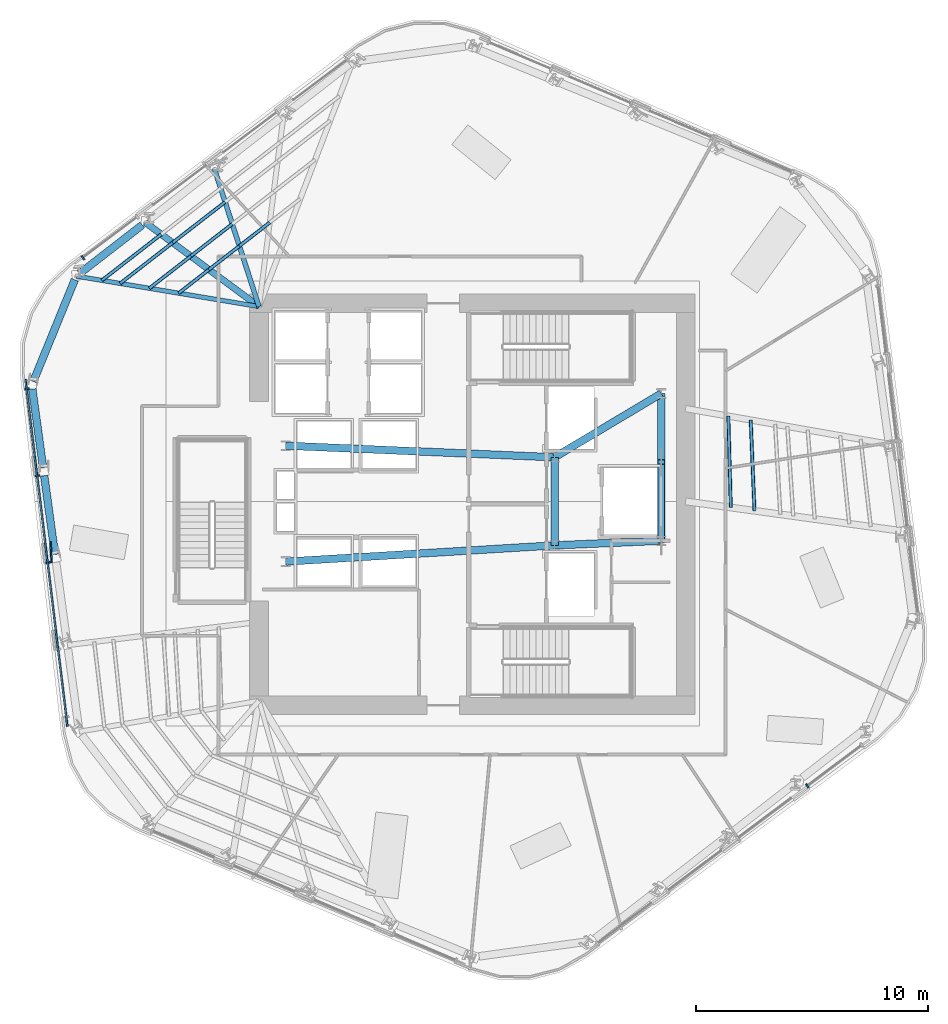
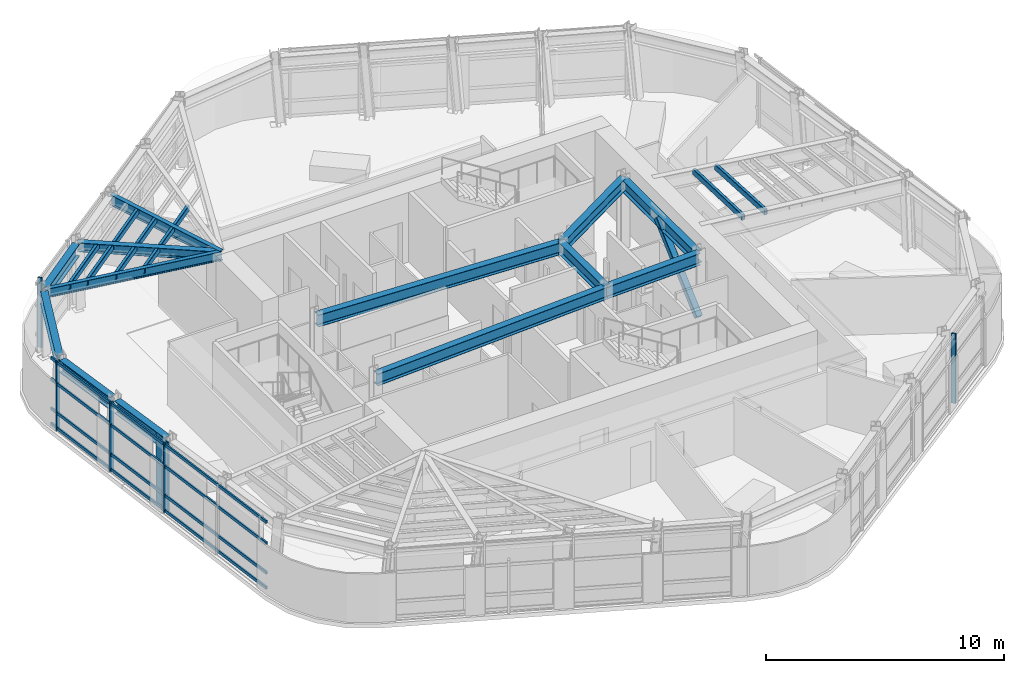
# One storey, part 4 of 14: 21 members, 13 beams, 3 elements without a shape of their own.
"""IFC4 building model written with IfcOpenShell, lengths in metres."""

from ifc_helpers import new_model, si_unit, direction, frame, origin, origin_2d, place, context, subcontext, project, spatial, rectangle, hollow_rectangle, i_section, extrude, material, layer, layer_set, material_profile, profile_set, type_object, element, aggregate, save


model = new_model("IFC4")

# Units and contexts
model_context = context("Model", 3, precision=1e-05, world=origin(), true_north=direction((0.0, 1.0)))
body_context = subcontext(model_context, "Body", "Model", "MODEL_VIEW")
ifc_project = project(units=[si_unit("LENGTHUNIT", "METRE"), si_unit("AREAUNIT", "SQUARE_METRE"), si_unit("VOLUMEUNIT", "CUBIC_METRE"), si_unit("PLANEANGLEUNIT", "RADIAN"), si_unit("MASSUNIT", "GRAM", prefix="KILO")], contexts=[model_context])

# Site, building, storey
site_placement = place(None, origin())
site = spatial("IfcSite", under=ifc_project, at=site_placement, CompositionType="ELEMENT")
building_placement = place(site_placement, origin())
building = spatial("IfcBuilding", under=site, at=building_placement, Name="Valkerne Bourse Tower", CompositionType="ELEMENT")
storey_placement = place(building_placement, frame((0.0, 0.0, 181.800048828125)))
storey = spatial("IfcBuildingStorey", under=building, at=storey_placement, Name="L46", CompositionType="ELEMENT", Elevation=181.800048828125)

# Beams
ifc_material_1 = material(Name="Steel ASTM A992", Category="steel")
ifc_material_profile_1 = material_profile(ifc_material_1, i_section(OverallWidth=0.1904296875, OverallDepth=0.457275390625, WebThickness=0.009033203125, FlangeThickness=0.014404296875, FilletRadius=0.01513671875, at=origin_2d()), Name="W18X50")
ifc_profile_set_1 = profile_set([ifc_material_profile_1], Name="Steel ASTM A992")
beam_type_1 = type_object("IfcBeamType", Name="BM-W18X50", PredefinedType="JOIST", material=ifc_profile_set_1)
beam_1_placement = place(storey_placement, frame((29.720458984375, 36.71337890625, 3.351318359375), z_axis=(0.986389793516, -0.164423767285, 0.0), x_axis=(0.164423767285, 0.986389793516, 0.0)))
element("IfcBeam", 1, at=beam_1_placement, inside=storey, type_object=beam_type_1, Name="L46 Radial Composite Floor Beam 09", PredefinedType="JOIST", context=body_context, shape_type="SweptSolid", body=[
    extrude(i_section(OverallWidth=0.1904296875, OverallDepth=0.457275390625, WebThickness=0.009033203125, FlangeThickness=0.014404296875, FilletRadius=0.01513671875, at=origin_2d()), origin(), (0.0, 0.0, 1.0), 7.98828125),
])
ifc_material_profile_2 = material_profile(ifc_material_1, i_section(OverallWidth=0.279296875, OverallDepth=0.46240234375, WebThickness=0.0107421875, FlangeThickness=0.017333984375, FilletRadius=0.017822265625, at=origin_2d()), Name="W18X76")
ifc_profile_set_2 = profile_set([ifc_material_profile_2], Name="Steel ASTM A992")
beam_type_2 = type_object("IfcBeamType", Name="BM-W18X76", PredefinedType="BEAM", material=ifc_profile_set_2)
beam_2_placement = place(storey_placement, frame((32.7001953125, 39.024658203125, 3.3486328125), z_axis=(0.803933825933, -0.594718760021, 0.0), x_axis=(0.594718760021, 0.803933825933, 0.0)))
element("IfcBeam", 2, at=beam_2_placement, inside=storey, type_object=beam_type_2, Name="L46 Radial Composite Floor Beam 08", PredefinedType="BEAM", context=body_context, shape_type="SweptSolid", body=[
    extrude(i_section(OverallWidth=0.279296875, OverallDepth=0.46240234375, WebThickness=0.0107421875, FlangeThickness=0.017333984375, FilletRadius=0.017822265625, at=origin_2d()), origin(), (0.0, 0.0, 1.0), 6.094970703125),
])
ifc_material_profile_3 = material_profile(ifc_material_1, i_section(OverallWidth=0.209228515625, OverallDepth=0.533447265625, WebThickness=0.01025390625, FlangeThickness=0.015625, FilletRadius=0.017822265625, at=origin_2d()), Name="W21X62")
ifc_profile_set_3 = profile_set([ifc_material_profile_3], Name="Steel ASTM A992")
beam_type_3 = type_object("IfcBeamType", Name="BM-W21X62", PredefinedType="JOIST", material=ifc_profile_set_3)
beam_3_placement = place(storey_placement, frame((35.679931640625, 41.3359375, 3.313232421875), z_axis=(0.3077744419, -0.95145934906, 0.0), x_axis=(0.95145934906, 0.3077744419, 0.0)))
element("IfcBeam", 3, at=beam_3_placement, inside=storey, type_object=beam_type_3, Name="L46 Radial Composite Floor Beam 07", PredefinedType="JOIST", context=body_context, shape_type="SweptSolid", body=[
    extrude(i_section(OverallWidth=0.209228515625, OverallDepth=0.533447265625, WebThickness=0.01025390625, FlangeThickness=0.015625, FilletRadius=0.017822265625, at=origin_2d()), origin(), (0.0, 0.0, 1.0), 6.23876953125),
])
ifc_material_profile_4 = material_profile(ifc_material_1, i_section(OverallWidth=0.3251953125, OverallDepth=0.612060546875, WebThickness=0.0126953125, FlangeThickness=0.01904296875, FilletRadius=0.020263671875, at=origin_2d()), Name="W24X104")
ifc_profile_set_4 = profile_set([ifc_material_profile_4], Name="Steel ASTM A992")
beam_type_4 = type_object("IfcBeamType", Name="BM-W24X104", PredefinedType="BEAM", material=ifc_profile_set_4)
beam_4_placement = place(storey_placement, frame((50.35009765625, 25.10009765625, 3.27392578125), z_axis=(0.0, 1.0, 0.0), x_axis=(-1.0, 0.0, 0.0)))
element("IfcBeam", 4, at=beam_4_placement, inside=storey, type_object=beam_type_4, Name="L46 Core Frame Girder CG-CE", PredefinedType="BEAM", context=body_context, shape_type="SweptSolid", body=[
    extrude(i_section(OverallWidth=0.3251953125, OverallDepth=0.612060546875, WebThickness=0.0126953125, FlangeThickness=0.01904296875, FilletRadius=0.020263671875, at=origin_2d()), origin(), (0.0, 0.0, 1.0), 3.7998046875),
])
beam_5_placement = place(storey_placement, frame((50.35009765625, 25.10009765625, 3.27392578125), z_axis=(0.999056558506, 0.043428019819, 0.0), x_axis=(-0.043428019819, 0.999056558506, 0.0)))
element("IfcBeam", 5, at=beam_5_placement, inside=storey, type_object=beam_type_4, Name="L46 Core Frame Girder CG-SE", PredefinedType="BEAM", context=body_context, shape_type="SweptSolid", body=[
    extrude(i_section(OverallWidth=0.3251953125, OverallDepth=0.612060546875, WebThickness=0.0126953125, FlangeThickness=0.01904296875, FilletRadius=0.020263671875, at=origin_2d()), origin(), (0.0, 0.0, 1.0), 4.604248046875),
])
beam_6_placement = place(storey_placement, frame((50.35009765625, 28.89990234375, 3.27392578125), z_axis=(0.858307823492, 0.513135148019, 0.0), x_axis=(-0.513135148019, 0.858307823492, 0.0)))
element("IfcBeam", 6, at=beam_6_placement, inside=storey, type_object=beam_type_4, Name="L46 Core Frame Girder CG-NE", PredefinedType="BEAM", context=body_context, shape_type="SweptSolid", body=[
    extrude(i_section(OverallWidth=0.3251953125, OverallDepth=0.612060546875, WebThickness=0.0126953125, FlangeThickness=0.01904296875, FilletRadius=0.020263671875, at=origin_2d()), origin(), (0.0, 0.0, 1.0), 5.359130859375),
])
beam_7_placement = place(storey_placement, frame((54.949951171875, 25.300048828125, 3.27392578125), z_axis=(0.0, 1.0, 0.0), x_axis=(-1.0, 0.0, 0.0)))
element("IfcBeam", 7, at=beam_7_placement, inside=storey, type_object=beam_type_4, Name="L46 Core Frame Girder CG-EE", PredefinedType="BEAM", context=body_context, shape_type="SweptSolid", body=[
    extrude(i_section(OverallWidth=0.3251953125, OverallDepth=0.612060546875, WebThickness=0.0126953125, FlangeThickness=0.01904296875, FilletRadius=0.020263671875, at=origin_2d()), origin(), (0.0, 0.0, 1.0), 6.349853515625),
])
beam_8_placement = place(storey_placement, frame((38.75, 24.39990234375, 3.27392578125), z_axis=(0.998183228389, 0.060251494276, 0.0), x_axis=(-0.060251494276, 0.998183228389, 0.0)))
element("IfcBeam", 8, at=beam_8_placement, inside=storey, type_object=beam_type_4, Name="L46 Core Frame Girder CG-SW", PredefinedType="BEAM", context=body_context, shape_type="SweptSolid", body=[
    extrude(i_section(OverallWidth=0.3251953125, OverallDepth=0.612060546875, WebThickness=0.0126953125, FlangeThickness=0.01904296875, FilletRadius=0.020263671875, at=origin_2d()), origin(), (0.0, 0.0, 1.0), 11.62109375),
])
beam_9_placement = place(storey_placement, frame((38.75, 29.39990234375, 3.27392578125), z_axis=(0.999072354402, -0.043063101019, 0.0), x_axis=(0.043063101019, 0.999072354402, 0.0)))
element("IfcBeam", 9, at=beam_9_placement, inside=storey, type_object=beam_type_4, Name="L46 Core Frame Girder CG-NW", PredefinedType="BEAM", context=body_context, shape_type="SweptSolid", body=[
    extrude(i_section(OverallWidth=0.3251953125, OverallDepth=0.612060546875, WebThickness=0.0126953125, FlangeThickness=0.01904296875, FilletRadius=0.020263671875, at=origin_2d()), origin(), (0.0, 0.0, 1.0), 11.61083984375),
])
ifc_material_profile_5 = material_profile(ifc_material_1, i_section(OverallWidth=0.32763671875, OverallDepth=0.62744140625, WebThickness=0.0166015625, FlangeThickness=0.027587890625, FilletRadius=0.020263671875, at=origin_2d()), Name="W24X146")
ifc_profile_set_5 = profile_set([ifc_material_profile_5], Name="Steel ASTM A992")
beam_type_5 = type_object("IfcBeamType", Name="BM-W24X146", PredefinedType="SPANDREL", material=ifc_profile_set_5)
beam_10_placement = place(storey_placement, frame((32.56591796875, 38.92041015625, 3.266357421875), z_axis=(-0.790186748156, -0.612866137944, 0.0), x_axis=(0.612866137944, -0.790186748156, 0.0)))
element("IfcBeam", 10, at=beam_10_placement, inside=storey, type_object=beam_type_5, Name="L46 Hexagonal Spandrel Ring Beam 08", PredefinedType="SPANDREL", context=body_context, shape_type="SweptSolid", body=[
    extrude(i_section(OverallWidth=0.32763671875, OverallDepth=0.62744140625, WebThickness=0.0166015625, FlangeThickness=0.027587890625, FilletRadius=0.020263671875, at=origin_2d()), origin(), (0.0, 0.0, 1.0), 3.43115234375),
])
beam_11_placement = place(storey_placement, frame((29.65625, 36.555908203125, 3.266357421875), z_axis=(-0.377846539203, -0.925868237284, 0.0), x_axis=(0.925868237284, -0.377846539203, 0.0)))
element("IfcBeam", 11, at=beam_11_placement, inside=storey, type_object=beam_type_5, Name="L46 Hexagonal Spandrel Ring Beam 09", PredefinedType="SPANDREL", context=body_context, shape_type="SweptSolid", body=[
    extrude(i_section(OverallWidth=0.32763671875, OverallDepth=0.62744140625, WebThickness=0.0166015625, FlangeThickness=0.027587890625, FilletRadius=0.020263671875, at=origin_2d()), origin(), (0.0, 0.0, 1.0), 4.739990234375),
])
for number, where, z_axis, x_axis, name in (
    (12, (27.82421875, 31.841552734375, 3.266357421875), (0.13569107516, -0.990751195872, 0.0), (0.990751195872, 0.13569107516, 0.0), "L46 Hexagonal Spandrel Ring Beam 10"),
    (13, (28.3359375, 28.10546875, 3.266357421875), (0.13569107516, -0.990751195872, 0.0), (0.990751195872, 0.13569107516, 0.0), "L46 Hexagonal Spandrel Ring Beam 11"),
):
    element("IfcBeam", number, at=place(storey_placement, frame(where, z_axis=z_axis, x_axis=x_axis)), inside=storey, type_object=beam_type_5, Name=name, PredefinedType="SPANDREL", context=body_context, shape_type="SweptSolid", body=[
        extrude(i_section(OverallWidth=0.32763671875, OverallDepth=0.62744140625, WebThickness=0.0166015625, FlangeThickness=0.027587890625, FilletRadius=0.020263671875, at=origin_2d()), origin(), (0.0, 0.0, 1.0), 3.43115234375),
    ])

# Curtain wall, member
ifc_material_2 = material(Name="Aluminium AA 6063-T6", Category="aluminium")
ifc_layer = layer(ifc_material_2, 0.235107421875)
ifc_layer_set = layer_set([ifc_layer], Name="Aluminium AA 6063-T6")
curtain_wall_type = type_object("IfcCurtainWallType", Name="CW-03", PredefinedType="NOTDEFINED", material=ifc_layer_set)
curtain_wall_1_placement = place(storey_placement, origin())
curtain_wall_1 = element("IfcCurtainWall", 14, at=curtain_wall_1_placement, inside=storey, type_object=curtain_wall_type, Name="L46 Hexagonal Stick Curtain Wall Face 2", PredefinedType="NOTDEFINED")
ifc_material_profile_6 = material_profile(ifc_material_2, rectangle(XDim=0.074951171875, YDim=0.199951171875, at=origin_2d()), Name="CWM-75X200")
ifc_profile_set_6 = profile_set([ifc_material_profile_6], Name="Aluminium AA 6063-T6")
member_type_1 = type_object("IfcMemberType", Name="CW-MUL-220X75", PredefinedType="MULLION", material=ifc_profile_set_6)
member_1_placement = place(storey_placement, frame((30.0068359375, 37.504638671875, 0.0), z_axis=(0.0, 0.0, 1.0), x_axis=(-0.799681669547, -0.600424206199, 0.0)))
member_1 = element("IfcMember", 15, at=member_1_placement, type_object=member_type_1, Name="CW-L46-F2 Jamb Mullion 03B", PredefinedType="MULLION", context=body_context, shape_type="SweptSolid", body=[
    extrude(rectangle(XDim=0.074951171875, YDim=0.199951171875, at=origin_2d()), origin(), (0.0, 0.0, 1.0), 3.579833984375),
])
aggregate(curtain_wall_1, [member_1])

# Curtain wall, members
curtain_wall_2_placement = place(storey_placement, origin())
curtain_wall_2 = element("IfcCurtainWall", 16, at=curtain_wall_2_placement, inside=storey, type_object=curtain_wall_type, Name="L46 Hexagonal Stick Curtain Wall Face 3", PredefinedType="NOTDEFINED")
member_2_placement = place(storey_placement, frame((27.594970703125, 31.849853515625, 0.0), z_axis=(0.0, 0.0, 1.0), x_axis=(0.120127043525, -0.992758527243, 0.0)))
member_2 = element("IfcMember", 17, at=member_2_placement, type_object=member_type_1, Name="CW-L46-F3 Jamb Mullion 00A", PredefinedType="MULLION", context=body_context, shape_type="SweptSolid", body=[
    extrude(rectangle(XDim=0.074951171875, YDim=0.199951171875, at=origin_2d()), origin(), (0.0, 0.0, 1.0), 3.579833984375),
])
member_3_placement = place(storey_placement, frame((28.048095703125, 28.106201171875, 0.0), z_axis=(0.0, 0.0, 1.0), x_axis=(0.120153178833, -0.992755364436, 0.0)))
member_3 = element("IfcMember", 18, at=member_3_placement, type_object=member_type_1, Name="CW-L46-F3 Jamb Mullion 01A", PredefinedType="MULLION", context=body_context, shape_type="SweptSolid", body=[
    extrude(rectangle(XDim=0.074951171875, YDim=0.199951171875, at=origin_2d()), origin(), (0.0, 0.0, 1.0), 3.579833984375),
])
member_4_placement = place(storey_placement, frame((28.501220703125, 24.362548828125, 0.0), z_axis=(0.0, 0.0, 1.0), x_axis=(0.120127043525, -0.992758527243, 0.0)))
member_4 = element("IfcMember", 19, at=member_4_placement, type_object=member_type_1, Name="CW-L46-F3 Jamb Mullion 02A", PredefinedType="MULLION", context=body_context, shape_type="SweptSolid", body=[
    extrude(rectangle(XDim=0.074951171875, YDim=0.199951171875, at=origin_2d()), origin(), (0.0, 0.0, 1.0), 3.579833984375),
])

# Curtain wall, member
curtain_wall_3_placement = place(storey_placement, origin())
curtain_wall_3 = element("IfcCurtainWall", 20, at=curtain_wall_3_placement, inside=storey, type_object=curtain_wall_type, Name="L46 Hexagonal Stick Curtain Wall Face 5", PredefinedType="NOTDEFINED")
member_5_placement = place(storey_placement, frame((61.249267578125, 14.735595703125, 0.0), z_axis=(0.0, 0.0, 1.0), x_axis=(0.799681669547, 0.600424206199, 0.0)))
member_5 = element("IfcMember", 21, at=member_5_placement, type_object=member_type_1, Name="CW-L46-F5 Jamb Mullion 03A", PredefinedType="MULLION", context=body_context, shape_type="SweptSolid", body=[
    extrude(rectangle(XDim=0.074951171875, YDim=0.199951171875, at=origin_2d()), origin(), (0.0, 0.0, 1.0), 3.579833984375),
])
aggregate(curtain_wall_3, [member_5])

# Member
ifc_material_profile_7 = material_profile(ifc_material_2, rectangle(XDim=0.074951171875, YDim=0.14990234375, at=origin_2d()), Name="CWT-75X150")
ifc_profile_set_7 = profile_set([ifc_material_profile_7], Name="Aluminium AA 6063-T6")
member_type_2 = type_object("IfcMemberType", Name="CW-TRN-180X65", PredefinedType="USERDEFINED", material=ifc_profile_set_7)
member_6_placement = place(storey_placement, frame((27.524658203125, 32.264404296875, 0.119873046875), z_axis=(0.120145268306, -0.992756321815, 0.0), x_axis=(0.992756321815, 0.120145268306, 0.0)))
member_6 = element("IfcMember", 22, at=member_6_placement, type_object=member_type_2, Name="CW-L46-F3 Continuous Face Transom 1", ObjectType="TRANSOM", PredefinedType="USERDEFINED", context=body_context, shape_type="SweptSolid", body=[
    extrude(rectangle(XDim=0.074951171875, YDim=0.14990234375, at=origin_2d()), origin(), (0.0, 0.0, 1.0), 15.083984375),
])

member_7_placement = place(storey_placement, frame((27.524658203125, 32.264404296875, 0.89990234375), z_axis=(0.120145268306, -0.992756321815, 0.0), x_axis=(0.992756321815, 0.120145268306, 0.0)))
member_7 = element("IfcMember", 23, at=member_7_placement, type_object=member_type_2, Name="CW-L46-F3 Continuous Face Transom 2", ObjectType="TRANSOM", PredefinedType="USERDEFINED", context=body_context, shape_type="SweptSolid", body=[
    extrude(rectangle(XDim=0.074951171875, YDim=0.14990234375, at=origin_2d()), origin(), (0.0, 0.0, 1.0), 15.083984375),
])

member_8_placement = place(storey_placement, frame((27.524658203125, 32.264404296875, 2.39990234375), z_axis=(0.120145268306, -0.992756321815, 0.0), x_axis=(0.992756321815, 0.120145268306, 0.0)))
member_8 = element("IfcMember", 24, at=member_8_placement, type_object=member_type_2, Name="CW-L46-F3 Continuous Face Transom 3", ObjectType="TRANSOM", PredefinedType="USERDEFINED", context=body_context, shape_type="SweptSolid", body=[
    extrude(rectangle(XDim=0.074951171875, YDim=0.14990234375, at=origin_2d()), origin(), (0.0, 0.0, 1.0), 15.083984375),
])

member_9_placement = place(storey_placement, frame((27.524658203125, 32.264404296875, 3.5), z_axis=(0.120145268306, -0.992756321815, 0.0), x_axis=(0.992756321815, 0.120145268306, 0.0)))
member_9 = element("IfcMember", 25, at=member_9_placement, type_object=member_type_2, Name="CW-L46-F3 Continuous Face Transom 4", ObjectType="TRANSOM", PredefinedType="USERDEFINED", context=body_context, shape_type="SweptSolid", body=[
    extrude(rectangle(XDim=0.074951171875, YDim=0.14990234375, at=origin_2d()), origin(), (0.0, 0.0, 1.0), 15.083984375),
])

aggregate(curtain_wall_2, [member_6, member_7, member_8, member_9, member_2, member_3, member_4])

# Members
ifc_material_3 = material(Name="Bronze Anodised Aluminium AA 6063-T6", Category="aluminium")
ifc_material_profile_8 = material_profile(ifc_material_3, rectangle(XDim=0.070068359375, YDim=0.89990234375, at=origin_2d()), Name="FIN-70X900")
ifc_profile_set_8 = profile_set([ifc_material_profile_8], Name="Bronze Anodised Aluminium AA 6063-T6")
member_type_3 = type_object("IfcMemberType", Name="FIN-SOLAR-900", PredefinedType="USERDEFINED", material=ifc_profile_set_8)
member_10_placement = place(storey_placement, frame((28.62939453125, 24.801025390625, 0.00390625), z_axis=(0.0, 0.0, 1.0), x_axis=(-0.998146829187, -0.060851519166, 0.0)))
element("IfcMember", 26, at=member_10_placement, inside=storey, type_object=member_type_3, Name="L46 Bronze Anodised Solar Fin F3-02", ObjectType="SOLAR_FIN", PredefinedType="USERDEFINED", context=body_context, shape_type="SweptSolid", body=[
    extrude(rectangle(XDim=0.070068359375, YDim=0.89990234375, at=origin_2d()), origin(), (0.0, 0.0, 1.0), 3.572021484375),
])
ifc_material_4 = material(Name="Steel ASTM A500 Grade C", Category="steel")
ifc_material_profile_9 = material_profile(ifc_material_4, hollow_rectangle(XDim=0.14990234375, YDim=0.300048828125, WallThickness=0.012451171875, OuterFilletRadius=0.02490234375, at=origin_2d()), Name="HSS300X150X12.5")
ifc_profile_set_9 = profile_set([ifc_material_profile_9], Name="Steel ASTM A500 Grade C")
member_type_4 = type_object("IfcMemberType", Name="MBR-HSS300X150X12.5", PredefinedType="PURLIN", material=ifc_profile_set_9)
member_11_placement = place(storey_placement, frame((58.971923828125, 26.59228515625, 3.419921875), z_axis=(-0.041801565081, 0.999125932581, 0.0), x_axis=(-0.999125932581, -0.041801565081, 0.0)))
element("IfcMember", 27, at=member_11_placement, inside=storey, type_object=member_type_4, Name="L46 Secondary Composite Floor Purlin I-26", PredefinedType="PURLIN", context=body_context, shape_type="SweptSolid", body=[
    extrude(hollow_rectangle(XDim=0.14990234375, YDim=0.300048828125, WallThickness=0.012451171875, OuterFilletRadius=0.02490234375, at=origin_2d()), origin(), (0.0, 0.0, 1.0), 3.9189453125),
])
member_12_placement = place(storey_placement, frame((38.066162109375, 39.02880859375, 3.419921875), z_axis=(-0.790112183767, -0.61296226398, 0.0), x_axis=(0.61296226398, -0.790112183767, 0.0)))
element("IfcMember", 28, at=member_12_placement, inside=storey, type_object=member_type_4, Name="L46 Secondary Composite Floor Purlin K-06", PredefinedType="PURLIN", context=body_context, shape_type="SweptSolid", body=[
    extrude(hollow_rectangle(XDim=0.14990234375, YDim=0.300048828125, WallThickness=0.012451171875, OuterFilletRadius=0.02490234375, at=origin_2d()), origin(), (0.0, 0.0, 1.0), 1.659423828125),
])
member_13_placement = place(storey_placement, frame((36.755126953125, 38.01171875, 3.419921875), z_axis=(-0.790183443402, -0.61287039884, 0.0), x_axis=(0.61287039884, -0.790183443402, 0.0)))
element("IfcMember", 29, at=member_13_placement, inside=storey, type_object=member_type_4, Name="L46 Secondary Composite Floor Purlin K-07", PredefinedType="PURLIN", context=body_context, shape_type="SweptSolid", body=[
    extrude(hollow_rectangle(XDim=0.14990234375, YDim=0.300048828125, WallThickness=0.012451171875, OuterFilletRadius=0.02490234375, at=origin_2d()), origin(), (0.0, 0.0, 1.0), 1.6591796875),
])
member_14_placement = place(storey_placement, frame((35.444091796875, 36.994873046875, 3.419921875), z_axis=(-0.790112183767, -0.61296226398, 0.0), x_axis=(0.61296226398, -0.790112183767, 0.0)))
element("IfcMember", 30, at=member_14_placement, inside=storey, type_object=member_type_4, Name="L46 Secondary Composite Floor Purlin K-08", PredefinedType="PURLIN", context=body_context, shape_type="SweptSolid", body=[
    extrude(hollow_rectangle(XDim=0.14990234375, YDim=0.300048828125, WallThickness=0.012451171875, OuterFilletRadius=0.02490234375, at=origin_2d()), origin(), (0.0, 0.0, 1.0), 1.659423828125),
])
for number, where, z_axis, x_axis, name in (
    (31, (36.140625, 39.911376953125, 3.419921875), (-0.790131391002, -0.612937504933, 0.0), (0.612937504933, -0.790131391002, 0.0), "L46 Secondary Composite Floor Purlin O-07"),
    (32, (33.876220703125, 38.15478515625, 3.419921875), (-0.790163392767, -0.612896249565, 0.0), (0.612896249565, -0.790163392767, 0.0), "L46 Secondary Composite Floor Purlin O-08"),
):
    element("IfcMember", number, at=place(storey_placement, frame(where, z_axis=z_axis, x_axis=x_axis)), inside=storey, type_object=member_type_4, Name=name, PredefinedType="PURLIN", context=body_context, shape_type="SweptSolid", body=[
        extrude(hollow_rectangle(XDim=0.14990234375, YDim=0.300048828125, WallThickness=0.012451171875, OuterFilletRadius=0.02490234375, at=origin_2d()), origin(), (0.0, 0.0, 1.0), 2.865966796875),
    ])
for number, where, z_axis, x_axis, name in (
    (33, (36.447998046875, 38.961669921875, 3.419921875), (-0.790118489325, -0.61295413599, 0.0), (0.61295413599, -0.790118489325, 0.0), "L46 Secondary Composite Floor Purlin Z-07"),
    (34, (34.66015625, 37.57470703125, 3.419921875), (-0.790170744373, -0.612886771547, 0.0), (0.612886771547, -0.790170744373, 0.0), "L46 Secondary Composite Floor Purlin Z-08"),
):
    element("IfcMember", number, at=place(storey_placement, frame(where, z_axis=z_axis, x_axis=x_axis)), inside=storey, type_object=member_type_4, Name=name, PredefinedType="PURLIN", context=body_context, shape_type="SweptSolid", body=[
        extrude(hollow_rectangle(XDim=0.14990234375, YDim=0.300048828125, WallThickness=0.012451171875, OuterFilletRadius=0.02490234375, at=origin_2d()), origin(), (0.0, 0.0, 1.0), 2.2626953125),
    ])
member_15_placement = place(storey_placement, frame((57.9501953125, 26.732421875, 3.419921875), z_axis=(-0.027222685732, 0.999629394016, 0.0), x_axis=(-0.999629394016, -0.027222685732, 0.0)))
element("IfcMember", 35, at=member_15_placement, inside=storey, type_object=member_type_4, Name="L46 Secondary Composite Floor Purlin S-26", PredefinedType="PURLIN", context=body_context, shape_type="SweptSolid", body=[
    extrude(hollow_rectangle(XDim=0.14990234375, YDim=0.300048828125, WallThickness=0.012451171875, OuterFilletRadius=0.02490234375, at=origin_2d()), origin(), (0.0, 0.0, 1.0), 3.946044921875),
])
member_16_placement = place(storey_placement, frame((33.38623046875, 38.51708984375, 3.419921875), z_axis=(-0.790202689374, -0.6128455839, 0.0), x_axis=(0.6128455839, -0.790202689374, 0.0)))
element("IfcMember", 36, at=member_16_placement, inside=storey, type_object=member_type_4, Name="L46 Secondary Composite Floor Purlin T-08", PredefinedType="PURLIN", context=body_context, shape_type="SweptSolid", body=[
    extrude(hollow_rectangle(XDim=0.14990234375, YDim=0.300048828125, WallThickness=0.012451171875, OuterFilletRadius=0.02490234375, at=origin_2d()), origin(), (0.0, 0.0, 1.0), 3.2431640625),
])
ifc_material_profile_10 = material_profile(ifc_material_4, hollow_rectangle(XDim=0.300048828125, YDim=0.300048828125, WallThickness=0.012451171875, OuterFilletRadius=0.02490234375, at=origin_2d()), Name="HSS300X300X12.5")
ifc_profile_set_10 = profile_set([ifc_material_profile_10], Name="Steel ASTM A500 Grade C")
member_type_5 = type_object("IfcMemberType", Name="MBR-HSS300X300X12.5", PredefinedType="STRUT", material=ifc_profile_set_10)
member_17_placement = place(storey_placement, frame((54.949951171875, 25.300048828125, 0.219970703125), z_axis=(0.0, 0.743941933778, 0.668244266094), x_axis=(-1.0, 0.0, 0.0)))
element("IfcMember", 37, at=member_17_placement, inside=storey, type_object=member_type_5, Name="L46 Core Service Pier Lateral Brace", PredefinedType="STRUT", context=body_context, shape_type="SweptSolid", body=[
    extrude(hollow_rectangle(XDim=0.300048828125, YDim=0.300048828125, WallThickness=0.012451171875, OuterFilletRadius=0.02490234375, at=origin_2d()), origin(), (0.0, 0.0, 1.0), 4.570068359375),
])

save(model, "model.ifc")
